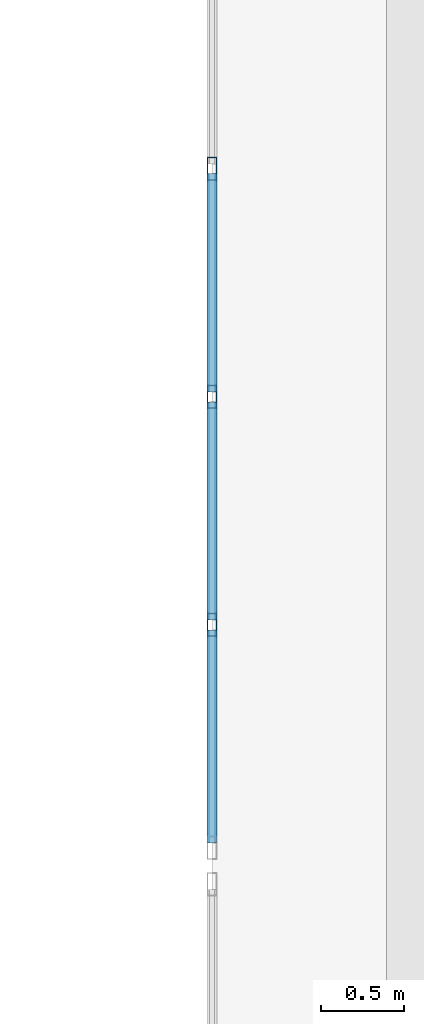
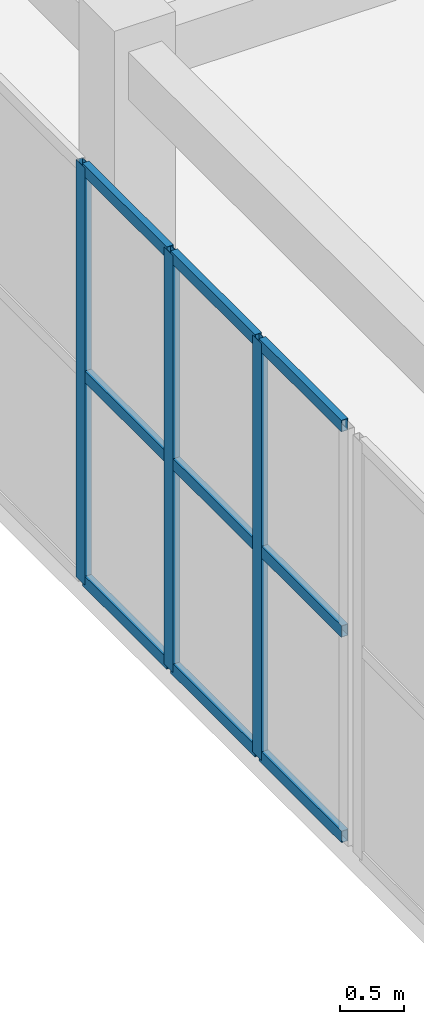
# One storey, part 50 of 140: 12 members, 1 element without a shape of its own.
"""IFC4 building model written with IfcOpenShell, lengths in metres."""

from ifc_helpers import new_model, si_unit, direction, frame, origin, origin_2d, place, context, subcontext, project, spatial, hollow_rectangle, extrude, material, layer, layer_set, material_profile, profile_set, type_object, element, aggregate, save


model = new_model("IFC4")

# Units and contexts
model_context = context("Model", 3, precision=1e-05, world=origin(), true_north=direction((0.0, 1.0)))
body_context = subcontext(model_context, "Body", "Model", "MODEL_VIEW")
ifc_project = project(units=[si_unit("LENGTHUNIT", "METRE"), si_unit("AREAUNIT", "SQUARE_METRE"), si_unit("VOLUMEUNIT", "CUBIC_METRE"), si_unit("PLANEANGLEUNIT", "RADIAN"), si_unit("MASSUNIT", "GRAM", prefix="KILO")], contexts=[model_context])

# Site, building, storey
site_placement = place(None, origin())
site = spatial("IfcSite", under=ifc_project, at=site_placement, CompositionType="ELEMENT")
building_placement = place(site_placement, origin())
building = spatial("IfcBuilding", under=site, at=building_placement, Name="Trelvath General Hospital", CompositionType="ELEMENT")
storey_placement = place(building_placement, frame((0.0, 0.0, 16.199951171875)))
storey = spatial("IfcBuildingStorey", under=building, at=storey_placement, Name="L04", CompositionType="ELEMENT", Elevation=16.199951171875)

# Curtain wall, members
ifc_material_1 = material(Name="Anodised aluminium and low-E glass", Category="aluminium")
ifc_layer = layer(ifc_material_1, 0.139892578125)
ifc_layer_set = layer_set([ifc_layer], Name="Anodised aluminium and low-E glass")
curtain_wall_type = type_object("IfcCurtainWallType", Name="CW CrystalCube 824 396 14", PredefinedType="USERDEFINED", material=ifc_layer_set)
curtain_wall_placement = place(storey_placement, origin())
curtain_wall = element("IfcCurtainWall", 1, at=curtain_wall_placement, inside=storey, type_object=curtain_wall_type, Name="Crystal Cube Curtain Wall CUBE-W-T1 W4 L04", ObjectType="Unitised Glazed Curtain Wall", PredefinedType="USERDEFINED")
ifc_material_2 = material(Name="Anodised aluminium", Category="aluminium")
ifc_material_profile_1 = material_profile(ifc_material_2, hollow_rectangle(XDim=0.06005859375, YDim=0.139892578125, WallThickness=0.00390625, at=origin_2d()), Name="RHS60x140x4")
ifc_profile_set_1 = profile_set([ifc_material_profile_1], Name="Anodised aluminium")
member_type_1 = type_object("IfcMemberType", Name="CurtainMullion 60x140", PredefinedType="MULLION", material=ifc_profile_set_1)
member_1_placement = place(storey_placement, frame((53.199951171875, 68.6533203125, 0.0), z_axis=(0.0, 0.0, 1.0), x_axis=(-1.0, 0.0, 0.0)))
member_1 = element("IfcMember", 2, at=member_1_placement, type_object=member_type_1, Name="CW-278 mullion 2", PredefinedType="MULLION", context=body_context, shape_type="SweptSolid", body=[
    extrude(hollow_rectangle(XDim=0.06005859375, YDim=0.139892578125, WallThickness=0.00390625, at=origin_2d()), origin(), (0.0, 0.0, 1.0), 3.9599609375),
])
member_2_placement = place(storey_placement, frame((53.199951171875, 70.026611328125, 0.0), z_axis=(0.0, 0.0, 1.0), x_axis=(-1.0, 0.0, 0.0)))
member_2 = element("IfcMember", 3, at=member_2_placement, type_object=member_type_1, Name="CW-278 mullion 3", PredefinedType="MULLION", context=body_context, shape_type="SweptSolid", body=[
    extrude(hollow_rectangle(XDim=0.06005859375, YDim=0.139892578125, WallThickness=0.00390625, at=origin_2d()), origin(), (0.0, 0.0, 1.0), 3.9599609375),
])
member_3_placement = place(storey_placement, frame((53.199951171875, 71.39990234375, 0.0), z_axis=(0.0, 0.0, 1.0), x_axis=(-1.0, 0.0, 0.0)))
member_3 = element("IfcMember", 4, at=member_3_placement, type_object=member_type_1, Name="CW-278 mullion 4", PredefinedType="MULLION", context=body_context, shape_type="SweptSolid", body=[
    extrude(hollow_rectangle(XDim=0.06005859375, YDim=0.139892578125, WallThickness=0.00390625, at=origin_2d()), origin(), (0.0, 0.0, 1.0), 3.9599609375),
])
ifc_material_3 = material(Name="Anodised aluminium", Category="aluminium")
ifc_material_profile_2 = material_profile(ifc_material_3, hollow_rectangle(XDim=0.06005859375, YDim=0.110107421875, WallThickness=0.00390625, at=origin_2d()), Name="RHS60x110x4")
ifc_profile_set_2 = profile_set([ifc_material_profile_2], Name="Anodised aluminium")
member_type_2 = type_object("IfcMemberType", Name="CurtainTransom 60x110", PredefinedType="USERDEFINED", material=ifc_profile_set_2)
member_4_placement = place(storey_placement, frame((53.199951171875, 67.340087890625, 0.030029296875), z_axis=(0.0, 1.0, 0.0), x_axis=(-1.0, 0.0, 0.0)))
member_4 = element("IfcMember", 5, at=member_4_placement, type_object=member_type_2, Name="CW-278 transom 1.1", ObjectType="TRANSOM", PredefinedType="USERDEFINED", context=body_context, shape_type="SweptSolid", body=[
    extrude(hollow_rectangle(XDim=0.06005859375, YDim=0.110107421875, WallThickness=0.00390625, at=origin_2d()), origin(), (0.0, 0.0, 1.0), 1.283203125),
])
member_5_placement = place(storey_placement, frame((53.199951171875, 67.340087890625, 1.97998046875), z_axis=(0.0, 1.0, 0.0), x_axis=(-1.0, 0.0, 0.0)))
member_5 = element("IfcMember", 6, at=member_5_placement, type_object=member_type_2, Name="CW-278 transom 1.2", ObjectType="TRANSOM", PredefinedType="USERDEFINED", context=body_context, shape_type="SweptSolid", body=[
    extrude(hollow_rectangle(XDim=0.06005859375, YDim=0.110107421875, WallThickness=0.00390625, at=origin_2d()), origin(), (0.0, 0.0, 1.0), 1.283203125),
])
member_6_placement = place(storey_placement, frame((53.199951171875, 67.340087890625, 3.929931640625), z_axis=(0.0, 1.0, 0.0), x_axis=(-1.0, 0.0, 0.0)))
member_6 = element("IfcMember", 7, at=member_6_placement, type_object=member_type_2, Name="CW-278 transom 1.3", ObjectType="TRANSOM", PredefinedType="USERDEFINED", context=body_context, shape_type="SweptSolid", body=[
    extrude(hollow_rectangle(XDim=0.06005859375, YDim=0.110107421875, WallThickness=0.00390625, at=origin_2d()), origin(), (0.0, 0.0, 1.0), 1.283203125),
])
member_7_placement = place(storey_placement, frame((53.199951171875, 68.683349609375, 0.030029296875), z_axis=(0.0, 1.0, 0.0), x_axis=(-1.0, 0.0, 0.0)))
member_7 = element("IfcMember", 8, at=member_7_placement, type_object=member_type_2, Name="CW-278 transom 2.1", ObjectType="TRANSOM", PredefinedType="USERDEFINED", context=body_context, shape_type="SweptSolid", body=[
    extrude(hollow_rectangle(XDim=0.06005859375, YDim=0.110107421875, WallThickness=0.00390625, at=origin_2d()), origin(), (0.0, 0.0, 1.0), 1.313232421875),
])
member_8_placement = place(storey_placement, frame((53.199951171875, 68.683349609375, 1.97998046875), z_axis=(0.0, 1.0, 0.0), x_axis=(-1.0, 0.0, 0.0)))
member_8 = element("IfcMember", 9, at=member_8_placement, type_object=member_type_2, Name="CW-278 transom 2.2", ObjectType="TRANSOM", PredefinedType="USERDEFINED", context=body_context, shape_type="SweptSolid", body=[
    extrude(hollow_rectangle(XDim=0.06005859375, YDim=0.110107421875, WallThickness=0.00390625, at=origin_2d()), origin(), (0.0, 0.0, 1.0), 1.313232421875),
])
member_9_placement = place(storey_placement, frame((53.199951171875, 68.683349609375, 3.929931640625), z_axis=(0.0, 1.0, 0.0), x_axis=(-1.0, 0.0, 0.0)))
member_9 = element("IfcMember", 10, at=member_9_placement, type_object=member_type_2, Name="CW-278 transom 2.3", ObjectType="TRANSOM", PredefinedType="USERDEFINED", context=body_context, shape_type="SweptSolid", body=[
    extrude(hollow_rectangle(XDim=0.06005859375, YDim=0.110107421875, WallThickness=0.00390625, at=origin_2d()), origin(), (0.0, 0.0, 1.0), 1.313232421875),
])
member_10_placement = place(storey_placement, frame((53.199951171875, 70.056640625, 0.030029296875), z_axis=(0.0, 1.0, 0.0), x_axis=(-1.0, 0.0, 0.0)))
member_10 = element("IfcMember", 11, at=member_10_placement, type_object=member_type_2, Name="CW-278 transom 3.1", ObjectType="TRANSOM", PredefinedType="USERDEFINED", context=body_context, shape_type="SweptSolid", body=[
    extrude(hollow_rectangle(XDim=0.06005859375, YDim=0.110107421875, WallThickness=0.00390625, at=origin_2d()), origin(), (0.0, 0.0, 1.0), 1.3134765625),
])
member_11_placement = place(storey_placement, frame((53.199951171875, 70.056640625, 1.97998046875), z_axis=(0.0, 1.0, 0.0), x_axis=(-1.0, 0.0, 0.0)))
member_11 = element("IfcMember", 12, at=member_11_placement, type_object=member_type_2, Name="CW-278 transom 3.2", ObjectType="TRANSOM", PredefinedType="USERDEFINED", context=body_context, shape_type="SweptSolid", body=[
    extrude(hollow_rectangle(XDim=0.06005859375, YDim=0.110107421875, WallThickness=0.00390625, at=origin_2d()), origin(), (0.0, 0.0, 1.0), 1.3134765625),
])
member_12_placement = place(storey_placement, frame((53.199951171875, 70.056640625, 3.929931640625), z_axis=(0.0, 1.0, 0.0), x_axis=(-1.0, 0.0, 0.0)))
member_12 = element("IfcMember", 13, at=member_12_placement, type_object=member_type_2, Name="CW-278 transom 3.3", ObjectType="TRANSOM", PredefinedType="USERDEFINED", context=body_context, shape_type="SweptSolid", body=[
    extrude(hollow_rectangle(XDim=0.06005859375, YDim=0.110107421875, WallThickness=0.00390625, at=origin_2d()), origin(), (0.0, 0.0, 1.0), 1.3134765625),
])
aggregate(curtain_wall, [member_1, member_2, member_3, member_4, member_5, member_6, member_7, member_8, member_9, member_10, member_11, member_12])

save(model, "model.ifc")
